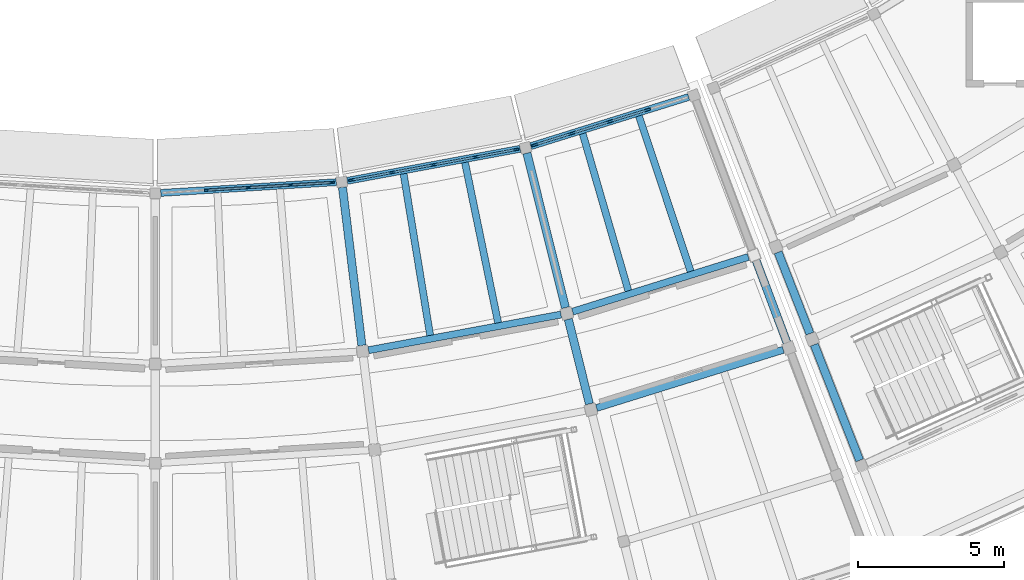
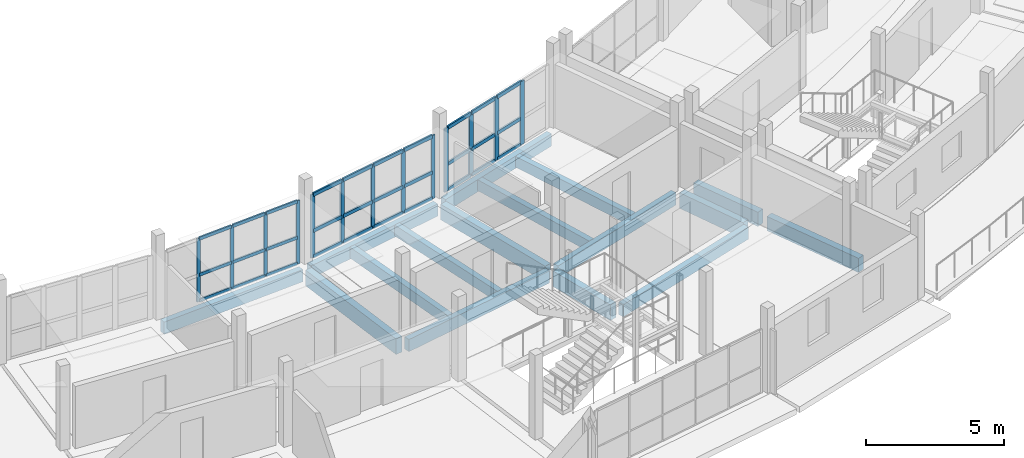
# One storey, part 17 of 36: 43 members, 16 beams, 3 elements without a shape of their own.
"""IFC4 building model written with IfcOpenShell, lengths in metres."""

from ifc_helpers import new_model, si_unit, direction, frame, origin, origin_2d, place, context, subcontext, project, spatial, rectangle, extrude, material, layer, layer_set, material_profile, profile_set, type_object, element, aggregate, save


model = new_model("IFC4")

# Units and contexts
model_context = context("Model", 3, precision=1e-05, world=origin(), true_north=direction((0.0, 1.0)))
body_context = subcontext(model_context, "Body", "Model", "MODEL_VIEW")
ifc_project = project(units=[si_unit("LENGTHUNIT", "METRE"), si_unit("AREAUNIT", "SQUARE_METRE"), si_unit("VOLUMEUNIT", "CUBIC_METRE"), si_unit("PLANEANGLEUNIT", "RADIAN"), si_unit("MASSUNIT", "GRAM", prefix="KILO")], contexts=[model_context])

# Site, building, storey
site_placement = place(None, origin())
site = spatial("IfcSite", under=ifc_project, at=site_placement, CompositionType="ELEMENT")
building_placement = place(site_placement, origin())
building = spatial("IfcBuilding", under=site, at=building_placement, Name="Caldaven Crescent School", CompositionType="ELEMENT")
storey_placement = place(building_placement, frame((0.0, 0.0, 11.89990234375)))
storey = spatial("IfcBuildingStorey", under=building, at=storey_placement, Name="L03", CompositionType="ELEMENT", Elevation=11.89990234375)

# Beams
ifc_material_1 = material(Name="Glulam MLE24h (GL28h)", Category="wood")
ifc_material_profile_1 = material_profile(ifc_material_1, rectangle(XDim=0.239990234375, YDim=0.5400390625, at=origin_2d()), Name="MLE 240x540")
ifc_profile_set_1 = profile_set([ifc_material_profile_1], Name="Glulam MLE24h (GL28h)")
beam_type_1 = type_object("IfcBeamType", Name="BM-GL54", PredefinedType="BEAM", material=ifc_profile_set_1)
beam_1_placement = place(storey_placement, frame((95.306640625, 38.171875, -0.52001953125), z_axis=(0.983256896328, 0.182224794756, 0.0), x_axis=(-0.182224794756, 0.983256896328, 0.0)))
element("IfcBeam", 1, at=beam_1_placement, inside=storey, type_object=beam_type_1, Name="BMT-V5-L03-1453", PredefinedType="BEAM", context=body_context, shape_type="SweptSolid", body=[
    extrude(rectangle(XDim=0.239990234375, YDim=0.5400390625, at=origin_2d()), origin(), (0.0, 0.0, 1.0), 6.708251953125),
])
beam_2_placement = place(storey_placement, frame((102.2998046875, 39.49267578125, -0.52001953125), z_axis=(0.954745450865, 0.297424148401, 0.0), x_axis=(-0.297424148401, 0.954745450865, 0.0)))
element("IfcBeam", 2, at=beam_2_placement, inside=storey, type_object=beam_type_1, Name="BMT-V5-L03-1459", PredefinedType="BEAM", context=body_context, shape_type="SweptSolid", body=[
    extrude(rectangle(XDim=0.239990234375, YDim=0.5400390625, at=origin_2d()), origin(), (0.0, 0.0, 1.0), 6.307373046875),
])
beam_3_placement = place(storey_placement, frame((103.122314453125, 36.193603515625, -0.52001953125), z_axis=(0.95474092987, 0.29743866062, 0.0), x_axis=(-0.29743866062, 0.95474092987, 0.0)))
element("IfcBeam", 3, at=beam_3_placement, inside=storey, type_object=beam_type_1, Name="BMT-V5-L03-1460", PredefinedType="BEAM", context=body_context, shape_type="SweptSolid", body=[
    extrude(rectangle(XDim=0.239990234375, YDim=0.5400390625, at=origin_2d()), origin(), (0.0, 0.0, 1.0), 6.699462890625),
])
ifc_material_profile_2 = material_profile(ifc_material_1, rectangle(XDim=0.280029296875, YDim=0.6298828125, at=origin_2d()), Name="MLE 280x630")
ifc_profile_set_2 = profile_set([ifc_material_profile_2], Name="Glulam MLE24h (GL28h)")
beam_type_2 = type_object("IfcBeamType", Name="BM-GL63", PredefinedType="BEAM", material=ifc_profile_set_2)
beam_4_placement = place(storey_placement, frame((109.341796875, 41.526611328125, -0.56494140625), z_axis=(0.364821090582, -0.931077640085, 0.0), x_axis=(0.931077640085, 0.364821090582, 0.0)))
element("IfcBeam", 4, at=beam_4_placement, inside=storey, type_object=beam_type_2, Name="BMR-V4E-L03-1468", PredefinedType="BEAM", context=body_context, shape_type="SweptSolid", body=[
    extrude(rectangle(XDim=0.280029296875, YDim=0.6298828125, at=origin_2d()), origin(), (0.0, 0.0, 1.0), 2.989990234375),
])
beam_5_placement = place(storey_placement, frame((110.582275390625, 38.36083984375, -0.56494140625), z_axis=(0.364743301382, -0.931108116223, 0.0), x_axis=(0.931108116223, 0.364743301382, 0.0)))
element("IfcBeam", 5, at=beam_5_placement, inside=storey, type_object=beam_type_2, Name="BMR-V4E-L03-1469", PredefinedType="BEAM", context=body_context, shape_type="SweptSolid", body=[
    extrude(rectangle(XDim=0.280029296875, YDim=0.6298828125, at=origin_2d()), origin(), (0.0, 0.0, 1.0), 4.255126953125),
])
ifc_material_profile_3 = material_profile(ifc_material_1, rectangle(XDim=0.280029296875, YDim=0.68994140625, at=origin_2d()), Name="MLE 280x690")
ifc_profile_set_3 = profile_set([ifc_material_profile_3], Name="Glulam MLE24h (GL28h)")
beam_type_3 = type_object("IfcBeamType", Name="BM-GL69", PredefinedType="BEAM", material=ifc_profile_set_3)
for number, where, z_axis, x_axis, name in (
    (6, (94.415283203125, 43.75244140625, -0.594970703125), (0.121869642909, -0.992546114867, 0.0), (0.992546114867, 0.121869642909, 0.0), "BMR-V5-L03-1408"),
    (7, (100.73486328125, 44.923583984375, -0.594970703125), (0.241903730583, -0.970300255143, 0.0), (0.970300255143, 0.241903730583, 0.0), "BMR-V5-L03-1412"),
):
    element("IfcBeam", number, at=place(storey_placement, frame(where, z_axis=z_axis, x_axis=x_axis)), inside=storey, type_object=beam_type_3, Name=name, PredefinedType="BEAM", context=body_context, shape_type="SweptSolid", body=[
        extrude(rectangle(XDim=0.280029296875, YDim=0.68994140625, at=origin_2d()), origin(), (0.0, 0.0, 1.0), 5.455078125),
    ])
beam_6_placement = place(storey_placement, frame((102.153564453125, 39.23291015625, -0.594970703125), z_axis=(0.241920820529, -0.97029599432, 0.0), x_axis=(0.97029599432, 0.241920820529, 0.0)))
element("IfcBeam", 8, at=beam_6_placement, inside=storey, type_object=beam_type_3, Name="BMR-V5-L03-1413", PredefinedType="BEAM", context=body_context, shape_type="SweptSolid", body=[
    extrude(rectangle(XDim=0.280029296875, YDim=0.68994140625, at=origin_2d()), origin(), (0.0, 0.0, 1.0), 2.990234375),
])
beam_7_placement = place(storey_placement, frame((108.58984375, 41.23779296875, -0.594970703125), z_axis=(0.351937632277, -0.936023452157, 0.0), x_axis=(0.936023452157, 0.351937632277, 0.0)))
element("IfcBeam", 9, at=beam_7_placement, inside=storey, type_object=beam_type_3, Name="BMR-V5-L03-1417", PredefinedType="BEAM", context=body_context, shape_type="SweptSolid", body=[
    extrude(rectangle(XDim=0.280029296875, YDim=0.68994140625, at=origin_2d()), origin(), (0.0, 0.0, 1.0), 2.98974609375),
])

# Curtain wall, members
ifc_material_2 = material(Name="Anodised aluminium AA 6063-T6 and low-E double glazing", Category="aluminium")
ifc_layer_1 = layer(ifc_material_2, 0.18994140625)
ifc_layer_set_1 = layer_set([ifc_layer_1], Name="Anodised aluminium AA 6063-T6 and low-E double glazing")
curtain_wall_type_1 = type_object("IfcCurtainWallType", Name="CW-SYS2", PredefinedType="NOTDEFINED", material=ifc_layer_set_1)
curtain_wall_1_placement = place(storey_placement, origin())
curtain_wall_1 = element("IfcCurtainWall", 10, at=curtain_wall_1_placement, inside=storey, type_object=curtain_wall_type_1, Name="CW-L03-160", PredefinedType="NOTDEFINED")
ifc_material_3 = material(Name="Anodised aluminium AA 6063-T6", Category="aluminium")
ifc_material_profile_4 = material_profile(ifc_material_3, rectangle(XDim=0.06005859375, YDim=0.14990234375, at=origin_2d()), Name="CWM 60x150")
ifc_profile_set_4 = profile_set([ifc_material_profile_4], Name="Anodised aluminium AA 6063-T6")
member_type_1 = type_object("IfcMemberType", Name="CWM-T1", PredefinedType="MULLION", material=ifc_profile_set_4)
member_1_placement = place(storey_placement, frame((89.747802734375, 43.656982421875, 0.0), z_axis=(0.0, 0.0, 1.0), x_axis=(-0.061049319496, 0.998134750717, 0.0)))
member_1 = element("IfcMember", 11, at=member_1_placement, type_object=member_type_1, Name="CW2 mullion 2", PredefinedType="MULLION", context=body_context, shape_type="SweptSolid", body=[
    extrude(rectangle(XDim=0.06005859375, YDim=0.14990234375, at=origin_2d()), origin(), (0.0, 0.0, 1.0), 2.800048828125),
])
member_2_placement = place(storey_placement, frame((91.196044921875, 43.745361328125, 0.0), z_axis=(0.0, 0.0, 1.0), x_axis=(-0.061049319496, 0.998134750717, 0.0)))
member_2 = element("IfcMember", 12, at=member_2_placement, type_object=member_type_1, Name="CW2 mullion 3", PredefinedType="MULLION", context=body_context, shape_type="SweptSolid", body=[
    extrude(rectangle(XDim=0.06005859375, YDim=0.14990234375, at=origin_2d()), origin(), (0.0, 0.0, 1.0), 2.800048828125),
])
member_3_placement = place(storey_placement, frame((92.644287109375, 43.833984375, 0.0), z_axis=(0.0, 0.0, 1.0), x_axis=(-0.061049319496, 0.998134750717, 0.0)))
member_3 = element("IfcMember", 13, at=member_3_placement, type_object=member_type_1, Name="CW2 mullion 4", PredefinedType="MULLION", context=body_context, shape_type="SweptSolid", body=[
    extrude(rectangle(XDim=0.06005859375, YDim=0.14990234375, at=origin_2d()), origin(), (0.0, 0.0, 1.0), 2.800048828125),
])
member_4_placement = place(storey_placement, frame((94.062744140625, 43.9208984375, 0.0), z_axis=(0.0, 0.0, 1.0), x_axis=(-0.061049319496, 0.998134750717, 0.0)))
member_4 = element("IfcMember", 14, at=member_4_placement, type_object=member_type_1, Name="CW2 mullion 5", PredefinedType="MULLION", context=body_context, shape_type="SweptSolid", body=[
    extrude(rectangle(XDim=0.06005859375, YDim=0.14990234375, at=origin_2d()), origin(), (0.0, 0.0, 1.0), 2.800048828125),
])

ifc_layer_2 = layer(ifc_material_2, 0.2099609375)
ifc_layer_set_2 = layer_set([ifc_layer_2], Name="Anodised aluminium AA 6063-T6 and low-E double glazing")
curtain_wall_type_2 = type_object("IfcCurtainWallType", Name="CW-SYS3", PredefinedType="NOTDEFINED", material=ifc_layer_set_2)
curtain_wall_2_placement = place(storey_placement, origin())
curtain_wall_2 = element("IfcCurtainWall", 15, at=curtain_wall_2_placement, inside=storey, type_object=curtain_wall_type_2, Name="CW-L03-161", PredefinedType="NOTDEFINED")
ifc_material_profile_5 = material_profile(ifc_material_3, rectangle(XDim=0.06494140625, YDim=0.179931640625, at=origin_2d()), Name="CWM 65x180")
ifc_profile_set_5 = profile_set([ifc_material_profile_5], Name="Anodised aluminium AA 6063-T6")
member_type_2 = type_object("IfcMemberType", Name="CWM-T2", PredefinedType="MULLION", material=ifc_profile_set_5)
member_5_placement = place(storey_placement, frame((94.718994140625, 44.00146484375, 0.0), z_axis=(0.0, 0.0, 1.0), x_axis=(-0.182236405836, 0.983254744401, 0.0)))
member_5 = element("IfcMember", 16, at=member_5_placement, type_object=member_type_2, Name="CW3 mullion 1", PredefinedType="MULLION", context=body_context, shape_type="SweptSolid", body=[
    extrude(rectangle(XDim=0.06494140625, YDim=0.179931640625, at=origin_2d()), origin(), (0.0, 0.0, 1.0), 2.800048828125),
])
member_6_placement = place(storey_placement, frame((96.11376953125, 44.260009765625, 0.0), z_axis=(0.0, 0.0, 1.0), x_axis=(-0.182236405836, 0.983254744401, 0.0)))
member_6 = element("IfcMember", 17, at=member_6_placement, type_object=member_type_2, Name="CW3 mullion 2", PredefinedType="MULLION", context=body_context, shape_type="SweptSolid", body=[
    extrude(rectangle(XDim=0.06494140625, YDim=0.179931640625, at=origin_2d()), origin(), (0.0, 0.0, 1.0), 2.800048828125),
])
member_7_placement = place(storey_placement, frame((97.54052734375, 44.5244140625, 0.0), z_axis=(0.0, 0.0, 1.0), x_axis=(-0.182236405836, 0.983254744401, 0.0)))
member_7 = element("IfcMember", 18, at=member_7_placement, type_object=member_type_2, Name="CW3 mullion 3", PredefinedType="MULLION", context=body_context, shape_type="SweptSolid", body=[
    extrude(rectangle(XDim=0.06494140625, YDim=0.179931640625, at=origin_2d()), origin(), (0.0, 0.0, 1.0), 2.800048828125),
])
member_8_placement = place(storey_placement, frame((98.967041015625, 44.788818359375, 0.0), z_axis=(0.0, 0.0, 1.0), x_axis=(-0.182236405836, 0.983254744401, 0.0)))
member_8 = element("IfcMember", 19, at=member_8_placement, type_object=member_type_2, Name="CW3 mullion 4", PredefinedType="MULLION", context=body_context, shape_type="SweptSolid", body=[
    extrude(rectangle(XDim=0.06494140625, YDim=0.179931640625, at=origin_2d()), origin(), (0.0, 0.0, 1.0), 2.800048828125),
])
member_9_placement = place(storey_placement, frame((100.36181640625, 45.04736328125, 0.0), z_axis=(0.0, 0.0, 1.0), x_axis=(-0.182236405836, 0.983254744401, 0.0)))
member_9 = element("IfcMember", 20, at=member_9_placement, type_object=member_type_2, Name="CW3 mullion 5", PredefinedType="MULLION", context=body_context, shape_type="SweptSolid", body=[
    extrude(rectangle(XDim=0.06494140625, YDim=0.179931640625, at=origin_2d()), origin(), (0.0, 0.0, 1.0), 2.800048828125),
])

ifc_layer_3 = layer(ifc_material_2, 0.22998046875)
ifc_layer_set_3 = layer_set([ifc_layer_3], Name="Anodised aluminium AA 6063-T6 and low-E double glazing")
curtain_wall_type_3 = type_object("IfcCurtainWallType", Name="CW-SYS4", PredefinedType="NOTDEFINED", material=ifc_layer_set_3)
curtain_wall_3_placement = place(storey_placement, origin())
curtain_wall_3 = element("IfcCurtainWall", 21, at=curtain_wall_3_placement, inside=storey, type_object=curtain_wall_type_3, Name="CW-L03-163", PredefinedType="NOTDEFINED")
ifc_material_profile_6 = material_profile(ifc_material_3, rectangle(XDim=0.070068359375, YDim=0.2099609375, at=origin_2d()), Name="CWM 70x210")
ifc_profile_set_6 = profile_set([ifc_material_profile_6], Name="Anodised aluminium AA 6063-T6")
member_type_3 = type_object("IfcMemberType", Name="CWM-T3", PredefinedType="MULLION", material=ifc_profile_set_6)
member_10_placement = place(storey_placement, frame((101.008544921875, 45.20751953125, 0.0), z_axis=(0.0, 0.0, 1.0), x_axis=(-0.297419758694, 0.954746818344, 0.0)))
member_10 = element("IfcMember", 22, at=member_10_placement, type_object=member_type_3, Name="CW4 mullion 1", PredefinedType="MULLION", context=body_context, shape_type="SweptSolid", body=[
    extrude(rectangle(XDim=0.070068359375, YDim=0.2099609375, at=origin_2d()), origin(), (0.0, 0.0, 1.0), 2.800048828125),
])
member_11_placement = place(storey_placement, frame((102.2744140625, 45.60205078125, 0.0), z_axis=(0.0, 0.0, 1.0), x_axis=(-0.297419758694, 0.954746818344, 0.0)))
member_11 = element("IfcMember", 23, at=member_11_placement, type_object=member_type_3, Name="CW4 mullion 2", PredefinedType="MULLION", context=body_context, shape_type="SweptSolid", body=[
    extrude(rectangle(XDim=0.070068359375, YDim=0.2099609375, at=origin_2d()), origin(), (0.0, 0.0, 1.0), 2.800048828125),
])
member_12_placement = place(storey_placement, frame((103.57373046875, 46.0068359375, 0.0), z_axis=(0.0, 0.0, 1.0), x_axis=(-0.297419758694, 0.954746818344, 0.0)))
member_12 = element("IfcMember", 24, at=member_12_placement, type_object=member_type_3, Name="CW4 mullion 3", PredefinedType="MULLION", context=body_context, shape_type="SweptSolid", body=[
    extrude(rectangle(XDim=0.070068359375, YDim=0.2099609375, at=origin_2d()), origin(), (0.0, 0.0, 1.0), 2.800048828125),
])
member_13_placement = place(storey_placement, frame((104.873046875, 46.411376953125, 0.0), z_axis=(0.0, 0.0, 1.0), x_axis=(-0.297419758694, 0.954746818344, 0.0)))
member_13 = element("IfcMember", 25, at=member_13_placement, type_object=member_type_3, Name="CW4 mullion 4", PredefinedType="MULLION", context=body_context, shape_type="SweptSolid", body=[
    extrude(rectangle(XDim=0.070068359375, YDim=0.2099609375, at=origin_2d()), origin(), (0.0, 0.0, 1.0), 2.800048828125),
])

# Member
ifc_material_profile_7 = material_profile(ifc_material_3, rectangle(XDim=0.06494140625, YDim=0.139892578125, at=origin_2d()), Name="CWT 65x140")
ifc_profile_set_7 = profile_set([ifc_material_profile_7], Name="Anodised aluminium AA 6063-T6")
member_type_4 = type_object("IfcMemberType", Name="CWT-T2", PredefinedType="USERDEFINED", material=ifc_profile_set_7)
member_14_placement = place(storey_placement, frame((89.777587890625, 43.65869140625, 0.03271484375), z_axis=(0.998132999358, 0.061077946857, 0.0), x_axis=(-0.061077946857, 0.998132999358, 0.0)))
member_14 = element("IfcMember", 26, at=member_14_placement, type_object=member_type_4, Name="CW2 transom 2.1", ObjectType="TRANSOM", PredefinedType="USERDEFINED", context=body_context, shape_type="SweptSolid", body=[
    extrude(rectangle(XDim=0.06494140625, YDim=0.139892578125, at=origin_2d()), origin(), (0.0, 0.0, 1.0), 1.39111328125),
])

member_15_placement = place(storey_placement, frame((89.777587890625, 43.65869140625, 1.176025390625), z_axis=(0.998132999358, 0.061077946857, 0.0), x_axis=(-0.061077946857, 0.998132999358, 0.0)))
member_15 = element("IfcMember", 27, at=member_15_placement, type_object=member_type_4, Name="CW2 transom 2.2", ObjectType="TRANSOM", PredefinedType="USERDEFINED", context=body_context, shape_type="SweptSolid", body=[
    extrude(rectangle(XDim=0.06494140625, YDim=0.139892578125, at=origin_2d()), origin(), (0.0, 0.0, 1.0), 1.39111328125),
])

member_16_placement = place(storey_placement, frame((89.777587890625, 43.65869140625, 2.767578125), z_axis=(0.998132999358, 0.061077946857, 0.0), x_axis=(-0.061077946857, 0.998132999358, 0.0)))
member_16 = element("IfcMember", 28, at=member_16_placement, type_object=member_type_4, Name="CW2 transom 2.3", ObjectType="TRANSOM", PredefinedType="USERDEFINED", context=body_context, shape_type="SweptSolid", body=[
    extrude(rectangle(XDim=0.06494140625, YDim=0.139892578125, at=origin_2d()), origin(), (0.0, 0.0, 1.0), 1.39111328125),
])

member_17_placement = place(storey_placement, frame((91.22607421875, 43.747314453125, 0.03271484375), z_axis=(0.998132344438, 0.061088648587, 0.0), x_axis=(-0.061088648587, 0.998132344438, 0.0)))
member_17 = element("IfcMember", 29, at=member_17_placement, type_object=member_type_4, Name="CW2 transom 3.1", ObjectType="TRANSOM", PredefinedType="USERDEFINED", context=body_context, shape_type="SweptSolid", body=[
    extrude(rectangle(XDim=0.06494140625, YDim=0.139892578125, at=origin_2d()), origin(), (0.0, 0.0, 1.0), 1.390869140625),
])

member_18_placement = place(storey_placement, frame((91.22607421875, 43.747314453125, 1.176025390625), z_axis=(0.998132344438, 0.061088648587, 0.0), x_axis=(-0.061088648587, 0.998132344438, 0.0)))
member_18 = element("IfcMember", 30, at=member_18_placement, type_object=member_type_4, Name="CW2 transom 3.2", ObjectType="TRANSOM", PredefinedType="USERDEFINED", context=body_context, shape_type="SweptSolid", body=[
    extrude(rectangle(XDim=0.06494140625, YDim=0.139892578125, at=origin_2d()), origin(), (0.0, 0.0, 1.0), 1.390869140625),
])

member_19_placement = place(storey_placement, frame((91.22607421875, 43.747314453125, 2.767578125), z_axis=(0.998132344438, 0.061088648587, 0.0), x_axis=(-0.061088648587, 0.998132344438, 0.0)))
member_19 = element("IfcMember", 31, at=member_19_placement, type_object=member_type_4, Name="CW2 transom 3.3", ObjectType="TRANSOM", PredefinedType="USERDEFINED", context=body_context, shape_type="SweptSolid", body=[
    extrude(rectangle(XDim=0.06494140625, YDim=0.139892578125, at=origin_2d()), origin(), (0.0, 0.0, 1.0), 1.390869140625),
])

member_20_placement = place(storey_placement, frame((92.67431640625, 43.8359375, 0.03271484375), z_axis=(0.998138172654, 0.06099334628, 0.0), x_axis=(-0.06099334628, 0.998138172654, 0.0)))
member_20 = element("IfcMember", 32, at=member_20_placement, type_object=member_type_4, Name="CW2 transom 4.1", ObjectType="TRANSOM", PredefinedType="USERDEFINED", context=body_context, shape_type="SweptSolid", body=[
    extrude(rectangle(XDim=0.06494140625, YDim=0.139892578125, at=origin_2d()), origin(), (0.0, 0.0, 1.0), 1.36083984375),
])

member_21_placement = place(storey_placement, frame((92.67431640625, 43.8359375, 1.176025390625), z_axis=(0.998138172654, 0.06099334628, 0.0), x_axis=(-0.06099334628, 0.998138172654, 0.0)))
member_21 = element("IfcMember", 33, at=member_21_placement, type_object=member_type_4, Name="CW2 transom 4.2", ObjectType="TRANSOM", PredefinedType="USERDEFINED", context=body_context, shape_type="SweptSolid", body=[
    extrude(rectangle(XDim=0.06494140625, YDim=0.139892578125, at=origin_2d()), origin(), (0.0, 0.0, 1.0), 1.36083984375),
])

member_22_placement = place(storey_placement, frame((92.67431640625, 43.8359375, 2.767578125), z_axis=(0.998138172654, 0.06099334628, 0.0), x_axis=(-0.06099334628, 0.998138172654, 0.0)))
member_22 = element("IfcMember", 34, at=member_22_placement, type_object=member_type_4, Name="CW2 transom 4.3", ObjectType="TRANSOM", PredefinedType="USERDEFINED", context=body_context, shape_type="SweptSolid", body=[
    extrude(rectangle(XDim=0.06494140625, YDim=0.139892578125, at=origin_2d()), origin(), (0.0, 0.0, 1.0), 1.36083984375),
])

aggregate(curtain_wall_1, [member_1, member_2, member_3, member_4, member_14, member_15, member_16, member_17, member_18, member_19, member_20, member_21, member_22])

ifc_material_profile_8 = material_profile(ifc_material_3, rectangle(XDim=0.070068359375, YDim=0.159912109375, at=origin_2d()), Name="CWT 70x160")
ifc_profile_set_8 = profile_set([ifc_material_profile_8], Name="Anodised aluminium AA 6063-T6")
member_type_5 = type_object("IfcMemberType", Name="CWT-T3", PredefinedType="USERDEFINED", material=ifc_profile_set_8)
member_23_placement = place(storey_placement, frame((94.7509765625, 44.007568359375, 0.03515625), z_axis=(0.983264057672, 0.182186149009, 0.0), x_axis=(-0.182186149009, 0.983264057672, 0.0)))
member_23 = element("IfcMember", 35, at=member_23_placement, type_object=member_type_5, Name="CW3 transom 1.1", ObjectType="TRANSOM", PredefinedType="USERDEFINED", context=body_context, shape_type="SweptSolid", body=[
    extrude(rectangle(XDim=0.070068359375, YDim=0.159912109375, at=origin_2d()), origin(), (0.0, 0.0, 1.0), 1.353515625),
])

member_24_placement = place(storey_placement, frame((94.7509765625, 44.007568359375, 1.176025390625), z_axis=(0.983264057672, 0.182186149009, 0.0), x_axis=(-0.182186149009, 0.983264057672, 0.0)))
member_24 = element("IfcMember", 36, at=member_24_placement, type_object=member_type_5, Name="CW3 transom 1.2", ObjectType="TRANSOM", PredefinedType="USERDEFINED", context=body_context, shape_type="SweptSolid", body=[
    extrude(rectangle(XDim=0.070068359375, YDim=0.159912109375, at=origin_2d()), origin(), (0.0, 0.0, 1.0), 1.353515625),
])

member_25_placement = place(storey_placement, frame((94.7509765625, 44.007568359375, 2.76513671875), z_axis=(0.983264057672, 0.182186149009, 0.0), x_axis=(-0.182186149009, 0.983264057672, 0.0)))
member_25 = element("IfcMember", 37, at=member_25_placement, type_object=member_type_5, Name="CW3 transom 1.3", ObjectType="TRANSOM", PredefinedType="USERDEFINED", context=body_context, shape_type="SweptSolid", body=[
    extrude(rectangle(XDim=0.070068359375, YDim=0.159912109375, at=origin_2d()), origin(), (0.0, 0.0, 1.0), 1.353515625),
])

member_26_placement = place(storey_placement, frame((96.145751953125, 44.265869140625, 0.03515625), z_axis=(0.983241097753, 0.182310020812, 0.0), x_axis=(-0.182310020812, 0.983241097753, 0.0)))
member_26 = element("IfcMember", 38, at=member_26_placement, type_object=member_type_5, Name="CW3 transom 2.1", ObjectType="TRANSOM", PredefinedType="USERDEFINED", context=body_context, shape_type="SweptSolid", body=[
    extrude(rectangle(XDim=0.070068359375, YDim=0.159912109375, at=origin_2d()), origin(), (0.0, 0.0, 1.0), 1.385986328125),
])

member_27_placement = place(storey_placement, frame((96.145751953125, 44.265869140625, 1.176025390625), z_axis=(0.983241097753, 0.182310020812, 0.0), x_axis=(-0.182310020812, 0.983241097753, 0.0)))
member_27 = element("IfcMember", 39, at=member_27_placement, type_object=member_type_5, Name="CW3 transom 2.2", ObjectType="TRANSOM", PredefinedType="USERDEFINED", context=body_context, shape_type="SweptSolid", body=[
    extrude(rectangle(XDim=0.070068359375, YDim=0.159912109375, at=origin_2d()), origin(), (0.0, 0.0, 1.0), 1.385986328125),
])

member_28_placement = place(storey_placement, frame((96.145751953125, 44.265869140625, 2.76513671875), z_axis=(0.983241097753, 0.182310020812, 0.0), x_axis=(-0.182310020812, 0.983241097753, 0.0)))
member_28 = element("IfcMember", 40, at=member_28_placement, type_object=member_type_5, Name="CW3 transom 2.3", ObjectType="TRANSOM", PredefinedType="USERDEFINED", context=body_context, shape_type="SweptSolid", body=[
    extrude(rectangle(XDim=0.070068359375, YDim=0.159912109375, at=origin_2d()), origin(), (0.0, 0.0, 1.0), 1.385986328125),
])

member_29_placement = place(storey_placement, frame((97.572265625, 44.5302734375, 0.03515625), z_axis=(0.983241097753, 0.182310020812, 0.0), x_axis=(-0.182310020812, 0.983241097753, 0.0)))
member_29 = element("IfcMember", 41, at=member_29_placement, type_object=member_type_5, Name="CW3 transom 3.1", ObjectType="TRANSOM", PredefinedType="USERDEFINED", context=body_context, shape_type="SweptSolid", body=[
    extrude(rectangle(XDim=0.070068359375, YDim=0.159912109375, at=origin_2d()), origin(), (0.0, 0.0, 1.0), 1.385986328125),
])

member_30_placement = place(storey_placement, frame((97.572265625, 44.5302734375, 1.176025390625), z_axis=(0.983241097753, 0.182310020812, 0.0), x_axis=(-0.182310020812, 0.983241097753, 0.0)))
member_30 = element("IfcMember", 42, at=member_30_placement, type_object=member_type_5, Name="CW3 transom 3.2", ObjectType="TRANSOM", PredefinedType="USERDEFINED", context=body_context, shape_type="SweptSolid", body=[
    extrude(rectangle(XDim=0.070068359375, YDim=0.159912109375, at=origin_2d()), origin(), (0.0, 0.0, 1.0), 1.385986328125),
])

member_31_placement = place(storey_placement, frame((97.572265625, 44.5302734375, 2.76513671875), z_axis=(0.983241097753, 0.182310020812, 0.0), x_axis=(-0.182310020812, 0.983241097753, 0.0)))
member_31 = element("IfcMember", 43, at=member_31_placement, type_object=member_type_5, Name="CW3 transom 3.3", ObjectType="TRANSOM", PredefinedType="USERDEFINED", context=body_context, shape_type="SweptSolid", body=[
    extrude(rectangle(XDim=0.070068359375, YDim=0.159912109375, at=origin_2d()), origin(), (0.0, 0.0, 1.0), 1.385986328125),
])

member_32_placement = place(storey_placement, frame((98.9990234375, 44.794921875, 0.03515625), z_axis=(0.983264057672, 0.182186149009, 0.0), x_axis=(-0.182186149009, 0.983264057672, 0.0)))
member_32 = element("IfcMember", 44, at=member_32_placement, type_object=member_type_5, Name="CW3 transom 4.1", ObjectType="TRANSOM", PredefinedType="USERDEFINED", context=body_context, shape_type="SweptSolid", body=[
    extrude(rectangle(XDim=0.070068359375, YDim=0.159912109375, at=origin_2d()), origin(), (0.0, 0.0, 1.0), 1.353515625),
])

member_33_placement = place(storey_placement, frame((98.9990234375, 44.794921875, 1.176025390625), z_axis=(0.983264057672, 0.182186149009, 0.0), x_axis=(-0.182186149009, 0.983264057672, 0.0)))
member_33 = element("IfcMember", 45, at=member_33_placement, type_object=member_type_5, Name="CW3 transom 4.2", ObjectType="TRANSOM", PredefinedType="USERDEFINED", context=body_context, shape_type="SweptSolid", body=[
    extrude(rectangle(XDim=0.070068359375, YDim=0.159912109375, at=origin_2d()), origin(), (0.0, 0.0, 1.0), 1.353515625),
])

member_34_placement = place(storey_placement, frame((98.9990234375, 44.794921875, 2.76513671875), z_axis=(0.983264057672, 0.182186149009, 0.0), x_axis=(-0.182186149009, 0.983264057672, 0.0)))
member_34 = element("IfcMember", 46, at=member_34_placement, type_object=member_type_5, Name="CW3 transom 4.3", ObjectType="TRANSOM", PredefinedType="USERDEFINED", context=body_context, shape_type="SweptSolid", body=[
    extrude(rectangle(XDim=0.070068359375, YDim=0.159912109375, at=origin_2d()), origin(), (0.0, 0.0, 1.0), 1.353515625),
])

aggregate(curtain_wall_2, [member_5, member_6, member_7, member_8, member_9, member_23, member_24, member_25, member_26, member_27, member_28, member_29, member_30, member_31, member_32, member_33, member_34])

member_35_placement = place(storey_placement, frame((101.0419921875, 45.218017578125, 0.03515625), z_axis=(0.954756253786, 0.297389468301, 0.0), x_axis=(-0.297389468301, 0.954756253786, 0.0)))
member_35 = element("IfcMember", 47, at=member_35_placement, type_object=member_type_5, Name="CW4 transom 1.1", ObjectType="TRANSOM", PredefinedType="USERDEFINED", context=body_context, shape_type="SweptSolid", body=[
    extrude(rectangle(XDim=0.070068359375, YDim=0.159912109375, at=origin_2d()), origin(), (0.0, 0.0, 1.0), 1.256103515625),
])

member_36_placement = place(storey_placement, frame((101.0419921875, 45.218017578125, 1.176025390625), z_axis=(0.954756253786, 0.297389468301, 0.0), x_axis=(-0.297389468301, 0.954756253786, 0.0)))
member_36 = element("IfcMember", 48, at=member_36_placement, type_object=member_type_5, Name="CW4 transom 1.2", ObjectType="TRANSOM", PredefinedType="USERDEFINED", context=body_context, shape_type="SweptSolid", body=[
    extrude(rectangle(XDim=0.070068359375, YDim=0.159912109375, at=origin_2d()), origin(), (0.0, 0.0, 1.0), 1.256103515625),
])

member_37_placement = place(storey_placement, frame((101.0419921875, 45.218017578125, 2.76513671875), z_axis=(0.954756253786, 0.297389468301, 0.0), x_axis=(-0.297389468301, 0.954756253786, 0.0)))
member_37 = element("IfcMember", 49, at=member_37_placement, type_object=member_type_5, Name="CW4 transom 1.3", ObjectType="TRANSOM", PredefinedType="USERDEFINED", context=body_context, shape_type="SweptSolid", body=[
    extrude(rectangle(XDim=0.070068359375, YDim=0.159912109375, at=origin_2d()), origin(), (0.0, 0.0, 1.0), 1.256103515625),
])

member_38_placement = place(storey_placement, frame((102.307861328125, 45.6123046875, 0.03515625), z_axis=(0.954721963294, 0.297499534125, 0.0), x_axis=(-0.297499534125, 0.954721963294, 0.0)))
member_38 = element("IfcMember", 50, at=member_38_placement, type_object=member_type_5, Name="CW4 transom 2.1", ObjectType="TRANSOM", PredefinedType="USERDEFINED", context=body_context, shape_type="SweptSolid", body=[
    extrude(rectangle(XDim=0.070068359375, YDim=0.159912109375, at=origin_2d()), origin(), (0.0, 0.0, 1.0), 1.290771484375),
])

member_39_placement = place(storey_placement, frame((102.307861328125, 45.6123046875, 1.176025390625), z_axis=(0.954721963294, 0.297499534125, 0.0), x_axis=(-0.297499534125, 0.954721963294, 0.0)))
member_39 = element("IfcMember", 51, at=member_39_placement, type_object=member_type_5, Name="CW4 transom 2.2", ObjectType="TRANSOM", PredefinedType="USERDEFINED", context=body_context, shape_type="SweptSolid", body=[
    extrude(rectangle(XDim=0.070068359375, YDim=0.159912109375, at=origin_2d()), origin(), (0.0, 0.0, 1.0), 1.290771484375),
])

member_40_placement = place(storey_placement, frame((102.307861328125, 45.6123046875, 2.76513671875), z_axis=(0.954721963294, 0.297499534125, 0.0), x_axis=(-0.297499534125, 0.954721963294, 0.0)))
member_40 = element("IfcMember", 52, at=member_40_placement, type_object=member_type_5, Name="CW4 transom 2.3", ObjectType="TRANSOM", PredefinedType="USERDEFINED", context=body_context, shape_type="SweptSolid", body=[
    extrude(rectangle(XDim=0.070068359375, YDim=0.159912109375, at=origin_2d()), origin(), (0.0, 0.0, 1.0), 1.290771484375),
])

member_41_placement = place(storey_placement, frame((103.607177734375, 46.01708984375, 0.03515625), z_axis=(0.954721963294, 0.297499534125, 0.0), x_axis=(-0.297499534125, 0.954721963294, 0.0)))
member_41 = element("IfcMember", 53, at=member_41_placement, type_object=member_type_5, Name="CW4 transom 3.1", ObjectType="TRANSOM", PredefinedType="USERDEFINED", context=body_context, shape_type="SweptSolid", body=[
    extrude(rectangle(XDim=0.070068359375, YDim=0.159912109375, at=origin_2d()), origin(), (0.0, 0.0, 1.0), 1.290771484375),
])

member_42_placement = place(storey_placement, frame((103.607177734375, 46.01708984375, 1.176025390625), z_axis=(0.954721963294, 0.297499534125, 0.0), x_axis=(-0.297499534125, 0.954721963294, 0.0)))
member_42 = element("IfcMember", 54, at=member_42_placement, type_object=member_type_5, Name="CW4 transom 3.2", ObjectType="TRANSOM", PredefinedType="USERDEFINED", context=body_context, shape_type="SweptSolid", body=[
    extrude(rectangle(XDim=0.070068359375, YDim=0.159912109375, at=origin_2d()), origin(), (0.0, 0.0, 1.0), 1.290771484375),
])

member_43_placement = place(storey_placement, frame((103.607177734375, 46.01708984375, 2.76513671875), z_axis=(0.954721963294, 0.297499534125, 0.0), x_axis=(-0.297499534125, 0.954721963294, 0.0)))
member_43 = element("IfcMember", 55, at=member_43_placement, type_object=member_type_5, Name="CW4 transom 3.3", ObjectType="TRANSOM", PredefinedType="USERDEFINED", context=body_context, shape_type="SweptSolid", body=[
    extrude(rectangle(XDim=0.070068359375, YDim=0.159912109375, at=origin_2d()), origin(), (0.0, 0.0, 1.0), 1.290771484375),
])

aggregate(curtain_wall_3, [member_10, member_11, member_12, member_13, member_35, member_36, member_37, member_38, member_39, member_40, member_41, member_42, member_43])

# Beams
ifc_material_profile_9 = material_profile(ifc_material_1, rectangle(XDim=0.239990234375, YDim=0.47998046875, at=origin_2d()), Name="MLE 240x480")
ifc_profile_set_9 = profile_set([ifc_material_profile_9], Name="Glulam MLE24h (GL28h)")
beam_type_4 = type_object("IfcBeamType", Name="JS-GL48", PredefinedType="JOIST", material=ifc_profile_set_9)
for number, where, z_axis, x_axis, name in (
    (56, (96.509521484375, 44.216552734375, -0.489990234375), (0.162182803006, -0.98676073007, 0.0), (0.98676073007, 0.162182803006, 0.0), "JSR-V5-L03-1456"),
    (57, (98.613037109375, 44.6064453125, -0.489990234375), (0.202263118958, -0.979331216039, 0.0), (0.979331216039, 0.202263118958, 0.0), "JSR-V5-L03-1457"),
):
    element("IfcBeam", number, at=place(storey_placement, frame(where, z_axis=z_axis, x_axis=x_axis)), inside=storey, type_object=beam_type_4, Name=name, PredefinedType="JOIST", context=body_context, shape_type="SweptSolid", body=[
        extrude(rectangle(XDim=0.239990234375, YDim=0.47998046875, at=origin_2d()), origin(), (0.0, 0.0, 1.0), 5.6103515625),
    ])
beam_8_placement = place(storey_placement, frame((102.644287109375, 45.5966796875, -0.489990234375), z_axis=(0.278982349026, -0.960296229781, 0.0), x_axis=(0.960296229781, 0.278982349026, 0.0)))
element("IfcBeam", 58, at=beam_8_placement, inside=storey, type_object=beam_type_4, Name="JSR-V5-L03-1463", PredefinedType="JOIST", context=body_context, shape_type="SweptSolid", body=[
    extrude(rectangle(XDim=0.239990234375, YDim=0.47998046875, at=origin_2d()), origin(), (0.0, 0.0, 1.0), 5.611328125),
])
beam_9_placement = place(storey_placement, frame((104.57177734375, 46.197265625, -0.489990234375), z_axis=(0.315731740735, -0.948848495753, 0.0), x_axis=(0.948848495753, 0.315731740735, 0.0)))
element("IfcBeam", 59, at=beam_9_placement, inside=storey, type_object=beam_type_4, Name="JSR-V5-L03-1465", PredefinedType="JOIST", context=body_context, shape_type="SweptSolid", body=[
    extrude(rectangle(XDim=0.239990234375, YDim=0.47998046875, at=origin_2d()), origin(), (0.0, 0.0, 1.0), 5.611572265625),
])
ifc_material_profile_10 = material_profile(ifc_material_1, rectangle(XDim=0.239990234375, YDim=0.5400390625, at=origin_2d()), Name="MLE 240x540")
ifc_profile_set_10 = profile_set([ifc_material_profile_10], Name="Glulam MLE24h (GL28h)")
beam_type_5 = type_object("IfcBeamType", Name="SP-GL54", PredefinedType="SPANDREL", material=ifc_profile_set_10)
for number, where, z_axis, x_axis, name in (
    (60, (88.189697265625, 43.5615234375, -0.52001953125), (0.998133101455, 0.061076278378, 0.0), (-0.061076278378, 0.998133101455, 0.0), "BMT-V5-L03-1443"),
    (61, (94.578857421875, 43.9755859375, -0.52001953125), (0.98325861513, 0.18221552012, 0.0), (-0.18221552012, 0.98325861513, 0.0), "BMT-V5-L03-1452"),
):
    element("IfcBeam", number, at=place(storey_placement, frame(where, z_axis=z_axis, x_axis=x_axis)), inside=storey, type_object=beam_type_5, Name=name, PredefinedType="SPANDREL", context=body_context, shape_type="SweptSolid", body=[
        extrude(rectangle(XDim=0.239990234375, YDim=0.5400390625, at=origin_2d()), origin(), (0.0, 0.0, 1.0), 6.02392578125),
    ])
beam_10_placement = place(storey_placement, frame((100.8701171875, 45.16455078125, -0.52001953125), z_axis=(0.954752645565, 0.297401052093, 0.0), x_axis=(-0.297401052093, 0.954752645565, 0.0)))
element("IfcBeam", 62, at=beam_10_placement, inside=storey, type_object=beam_type_5, Name="BMT-V5-L03-1458", PredefinedType="SPANDREL", context=body_context, shape_type="SweptSolid", body=[
    extrude(rectangle(XDim=0.239990234375, YDim=0.5400390625, at=origin_2d()), origin(), (0.0, 0.0, 1.0), 5.66357421875),
])

save(model, "model.ifc")
